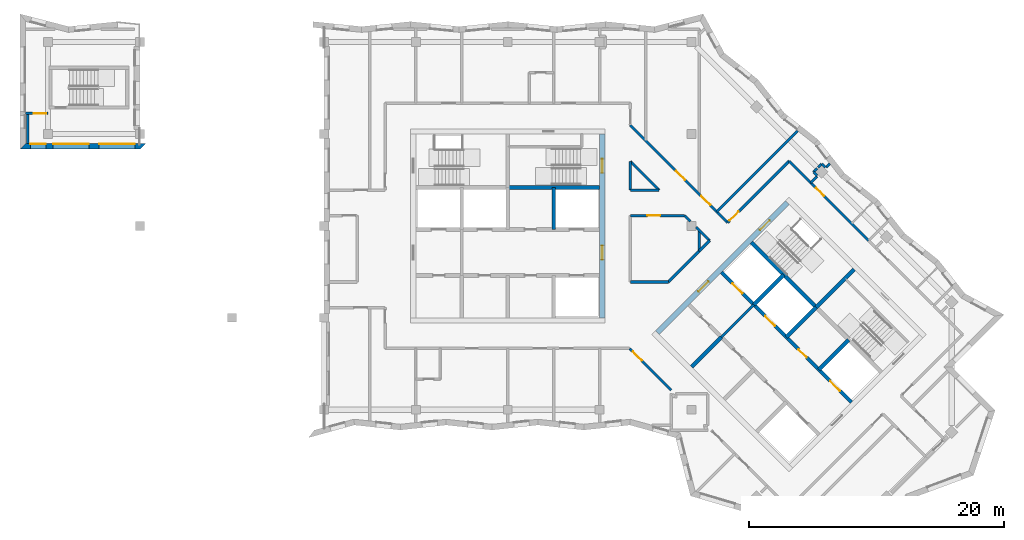
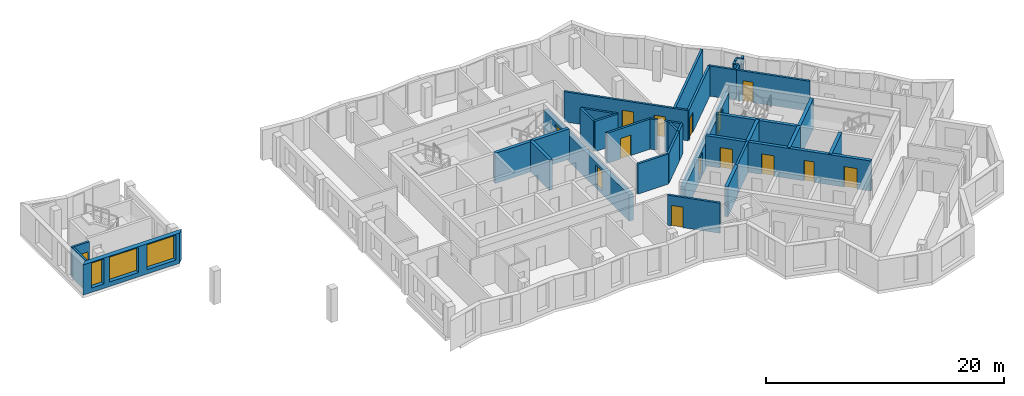
# One storey, part 4 of 12: 37 walls, 15 doors, 3 windows, 18 openings.
"""IFC4 building model written with IfcOpenShell, lengths in metres."""

from ifc_helpers import new_model, si_unit, direction, frame, frame_2d, origin, place, context, subcontext, project, spatial, polyline, rectangle, outline, extrude, material, layer, layer_set, type_object, element, fill, save


model = new_model("IFC4")

# Units and contexts
model_context = context("Model", 3, precision=1e-05, world=origin(), true_north=direction((0.0, 1.0)))
body_context = subcontext(model_context, "Body", "Model", "MODEL_VIEW")
ifc_project = project(units=[si_unit("LENGTHUNIT", "METRE"), si_unit("AREAUNIT", "SQUARE_METRE"), si_unit("VOLUMEUNIT", "CUBIC_METRE"), si_unit("PLANEANGLEUNIT", "RADIAN"), si_unit("MASSUNIT", "GRAM", prefix="KILO")], contexts=[model_context])

# Site, building, storey
site_placement = place(None, origin())
site = spatial("IfcSite", under=ifc_project, at=site_placement, CompositionType="ELEMENT")
building_placement = place(site_placement, origin())
building = spatial("IfcBuilding", under=site, at=building_placement, Name="Windrow Commons", CompositionType="ELEMENT")
storey_placement = place(building_placement, frame((0.0, 0.0, 254.0)))
storey = spatial("IfcBuildingStorey", under=building, at=storey_placement, Name="L69", CompositionType="ELEMENT", Elevation=254.0)

# Wall, openings, windows
ifc_material_1 = material(Name="Brick masonry, red clay brick", Category="masonry")
ifc_layer_1 = layer(ifc_material_1, 0.45)
ifc_layer_set_1 = layer_set([ifc_layer_1], Name="Brick facade wall 450")
wall_type_1 = type_object("IfcWallType", Name="Brick facade wall 450", PredefinedType="SOLIDWALL", material=ifc_layer_set_1)
wall_1_placement = place(storey_placement, frame((26.834, 63.825, 0.0), z_axis=(0.0, 0.0, 1.0), x_axis=(1.0, 0.0, 0.0)))
wall_1 = element("IfcWall", 1, at=wall_1_placement, inside=storey, type_object=wall_type_1, Name="Brick facade wall L69 32", PredefinedType="SOLIDWALL", context=body_context, shape_type="SweptSolid", body=[
    extrude(outline(polyline([(-0.225, -0.225), (9.166, -0.225), (9.616, 0.225), (0.225, 0.225), (-0.225, -0.225)])), origin(), (0.0, 0.0, 1.0), 3.1),
])
opening_1_placement = place(wall_1_placement, frame((2.366, 0.0, 0.45)))
opening_1 = element("IfcOpeningElement", 2, at=opening_1_placement, cuts=wall_1, Name="Opening W1V", PredefinedType="OPENING", context=body_context, shape_type="SweptSolid", body=[
    extrude(rectangle(XDim=2.8, YDim=2.55, at=frame_2d((1.4, 1.275))), frame((0.0, 0.235, 0.0), z_axis=(0.0, -1.0, 0.0), x_axis=(1.0, 0.0, 0.0)), (0.0, 0.0, 1.0), 0.47),
])
opening_2_placement = place(wall_1_placement, frame((5.9785, 0.0, 0.45)))
opening_2 = element("IfcOpeningElement", 3, at=opening_2_placement, cuts=wall_1, Name="Opening W1V", PredefinedType="OPENING", context=body_context, shape_type="SweptSolid", body=[
    extrude(rectangle(XDim=2.8, YDim=2.55, at=frame_2d((1.4, 1.275))), frame((0.0, 0.235, 0.0), z_axis=(0.0, -1.0, 0.0), x_axis=(1.0, 0.0, 0.0)), (0.0, 0.0, 1.0), 0.47),
])
opening_3_placement = place(wall_1_placement, frame((0.5955, 0.0, 0.45)))
opening_3 = element("IfcOpeningElement", 4, at=opening_3_placement, cuts=wall_1, Name="Opening W7F", PredefinedType="OPENING", context=body_context, shape_type="SweptSolid", body=[
    extrude(rectangle(XDim=1.2, YDim=2.55, at=frame_2d((0.6, 1.275))), frame((0.0, 0.235, 0.0), z_axis=(0.0, -1.0, 0.0), x_axis=(1.0, 0.0, 0.0)), (0.0, 0.0, 1.0), 0.47),
])
ifc_material_2 = material(Name="Clear float glass in anodised aluminium frame", Category="aluminium")
window_type_1 = type_object("IfcWindowType", Name="Window W1V bedroom 2800x2550", PartitioningType="SINGLE_PANEL", PredefinedType="WINDOW", material=ifc_material_2)
window_1_placement = place(opening_1_placement, origin())
window_1 = element("IfcWindow", 5, at=window_1_placement, inside=storey, type_object=window_type_1, Name="Window L69 32.1", OverallHeight=2.55, OverallWidth=2.8, PartitioningType="SINGLE_PANEL", PredefinedType="WINDOW", context=body_context, shape_type="SweptSolid", body=[
    extrude(rectangle(XDim=2.8, YDim=2.55, at=frame_2d((1.4, 1.275))), frame((0.0, 0.205, 0.0), z_axis=(0.0, -1.0, 0.0), x_axis=(1.0, 0.0, 0.0)), (0.0, 0.0, 1.0), 0.06),
])
fill(opening_1, window_1)
window_2_placement = place(opening_2_placement, origin())
window_2 = element("IfcWindow", 6, at=window_2_placement, inside=storey, type_object=window_type_1, Name="Window L69 32.2", OverallHeight=2.55, OverallWidth=2.8, PartitioningType="SINGLE_PANEL", PredefinedType="WINDOW", context=body_context, shape_type="SweptSolid", body=[
    extrude(rectangle(XDim=2.8, YDim=2.55, at=frame_2d((1.4, 1.275))), frame((0.0, 0.205, 0.0), z_axis=(0.0, -1.0, 0.0), x_axis=(1.0, 0.0, 0.0)), (0.0, 0.0, 1.0), 0.06),
])
fill(opening_2, window_2)
ifc_material_3 = material(Name="Clear float glass in anodised aluminium frame", Category="aluminium")
window_type_2 = type_object("IfcWindowType", Name="Window W7 notch 1200x2550", PartitioningType="SINGLE_PANEL", PredefinedType="WINDOW", material=ifc_material_3)
window_3_placement = place(opening_3_placement, origin())
window_3 = element("IfcWindow", 7, at=window_3_placement, inside=storey, type_object=window_type_2, Name="Window L69 32.3", OverallHeight=2.55, OverallWidth=1.2, PartitioningType="SINGLE_PANEL", PredefinedType="WINDOW", context=body_context, shape_type="SweptSolid", body=[
    extrude(rectangle(XDim=1.2, YDim=2.55, at=frame_2d((0.6, 1.275))), frame((0.0, 0.205, 0.0), z_axis=(0.0, -1.0, 0.0), x_axis=(1.0, 0.0, 0.0)), (0.0, 0.0, 1.0), 0.06),
])
fill(opening_3, window_3)

# Wall
ifc_material_4 = material(Name="Blockwork partition", Category="masonry")
ifc_layer_2 = layer(ifc_material_4, 0.2)
ifc_layer_set_2 = layer_set([ifc_layer_2], Name="Fire lobby partition 200")
wall_type_2 = type_object("IfcWallType", Name="Fire lobby partition 200", PredefinedType="PARTITIONING", material=ifc_layer_set_2)
wall_2_placement = place(storey_placement, frame((81.5335, 48.8776, 0.0), z_axis=(0.0, 0.0, 1.0), x_axis=(0.707092892, 0.7071206701, 0.0)))
element("IfcWall", 8, at=wall_2_placement, inside=storey, type_object=wall_type_2, Name="W-core-lobby-B-L69", PredefinedType="PARTITIONING", context=body_context, shape_type="SweptSolid", body=[
    extrude(rectangle(XDim=3.6, YDim=0.2, at=frame_2d((1.8, 0.0))), origin(), (0.0, 0.0, 1.0), 3.1),
])

# Wall, openings, doors
ifc_material_5 = material(Name="Blockwork partition", Category="masonry")
ifc_layer_3 = layer(ifc_material_5, 0.2)
ifc_layer_set_3 = layer_set([ifc_layer_3], Name="IW-CORRIDOR-200")
wall_type_3 = type_object("IfcWallType", Name="IW-CORRIDOR-200", PredefinedType="PARTITIONING", material=ifc_layer_set_3)
wall_3_placement = place(storey_placement, frame((74.3969, 65.4829, 0.0), z_axis=(0.0, 0.0, 1.0), x_axis=(0.7071067812, -0.7071067812, 0.0)))
wall_3 = element("IfcWall", 9, at=wall_3_placement, inside=storey, type_object=wall_type_3, Name="W-L69-W005", PredefinedType="PARTITIONING", context=body_context, shape_type="SweptSolid", body=[
    extrude(rectangle(XDim=10.7876, YDim=0.2, at=frame_2d((5.3938, 0.0))), origin(), (0.0, 0.0, 1.0), 3.1),
])
opening_4_placement = place(wall_3_placement, frame((5.0831, 0.0, 0.0)))
opening_4 = element("IfcOpeningElement", 10, at=opening_4_placement, cuts=wall_3, Name="Opening D310F", PredefinedType="OPENING", context=body_context, shape_type="SweptSolid", body=[
    extrude(rectangle(XDim=1.0, YDim=2.1, at=frame_2d((0.5, 1.05))), frame((0.0, 0.11, 0.0), z_axis=(0.0, -1.0, 0.0), x_axis=(1.0, 0.0, 0.0)), (0.0, 0.0, 1.0), 0.22),
])
opening_5_placement = place(wall_3_placement, frame((7.858, 0.0, 0.0)))
opening_5 = element("IfcOpeningElement", 11, at=opening_5_placement, cuts=wall_3, Name="Opening D310F", PredefinedType="OPENING", context=body_context, shape_type="SweptSolid", body=[
    extrude(rectangle(XDim=1.0, YDim=2.1, at=frame_2d((0.5, 1.05))), frame((0.0, 0.11, 0.0), z_axis=(0.0, -1.0, 0.0), x_axis=(1.0, 0.0, 0.0)), (0.0, 0.0, 1.0), 0.22),
])
ifc_material_6 = material(Name="Timber door leaf", Category="wood")
door_type_1 = type_object("IfcDoorType", Name="DT-AMENITY-1000", OperationType="SINGLE_SWING_LEFT", PredefinedType="DOOR", material=ifc_material_6)
door_1_placement = place(opening_4_placement, origin())
door_1 = element("IfcDoor", 12, at=door_1_placement, inside=storey, type_object=door_type_1, Name="D-L69-D016", OperationType="SINGLE_SWING_LEFT", OverallHeight=2.1, OverallWidth=1.0, PredefinedType="DOOR", context=body_context, shape_type="SweptSolid", body=[
    extrude(rectangle(XDim=1.0, YDim=2.1, at=frame_2d((0.5, 1.05))), frame((0.0, 0.025, 0.0), z_axis=(0.0, -1.0, 0.0), x_axis=(1.0, 0.0, 0.0)), (0.0, 0.0, 1.0), 0.05),
])
fill(opening_4, door_1)
door_2_placement = place(opening_5_placement, origin())
door_2 = element("IfcDoor", 13, at=door_2_placement, inside=storey, type_object=door_type_1, Name="D-L69-D018", OperationType="SINGLE_SWING_LEFT", OverallHeight=2.1, OverallWidth=1.0, PredefinedType="DOOR", context=body_context, shape_type="SweptSolid", body=[
    extrude(rectangle(XDim=1.0, YDim=2.1, at=frame_2d((0.5, 1.05))), frame((0.0, 0.025, 0.0), z_axis=(0.0, -1.0, 0.0), x_axis=(1.0, 0.0, 0.0)), (0.0, 0.0, 1.0), 0.05),
])
fill(opening_5, door_2)

# Wall, opening, door
wall_4_placement = place(storey_placement, frame((82.0275, 57.8585, 0.0), z_axis=(0.0, 0.0, 1.0), x_axis=(0.7071067812, 0.7071067812, 0.0)))
wall_4 = element("IfcWall", 14, at=wall_4_placement, inside=storey, type_object=wall_type_3, Name="W-L69-W012", PredefinedType="PARTITIONING", context=body_context, shape_type="SweptSolid", body=[
    extrude(rectangle(XDim=6.7995, YDim=0.2, at=frame_2d((3.3998, 0.0))), origin(), (0.0, 0.0, 1.0), 3.1),
])
opening_6_placement = place(wall_4_placement, frame((0.2109, 0.0, 0.0)))
opening_6 = element("IfcOpeningElement", 15, at=opening_6_placement, cuts=wall_4, Name="Opening D310F", PredefinedType="OPENING", context=body_context, shape_type="SweptSolid", body=[
    extrude(rectangle(XDim=1.0, YDim=2.1, at=frame_2d((0.5, 1.05))), frame((0.0, 0.11, 0.0), z_axis=(0.0, -1.0, 0.0), x_axis=(1.0, 0.0, 0.0)), (0.0, 0.0, 1.0), 0.22),
])
door_3_placement = place(opening_6_placement, origin())
door_3 = element("IfcDoor", 16, at=door_3_placement, inside=storey, type_object=door_type_1, Name="D-L69-D020", OperationType="SINGLE_SWING_RIGHT", OverallHeight=2.1, OverallWidth=1.0, PredefinedType="DOOR", context=body_context, shape_type="SweptSolid", body=[
    extrude(rectangle(XDim=1.0, YDim=2.1, at=frame_2d((0.5, 1.05))), frame((0.0, 0.025, 0.0), z_axis=(0.0, -1.0, 0.0), x_axis=(1.0, 0.0, 0.0)), (0.0, 0.0, 1.0), 0.05),
])
fill(opening_6, door_3)

wall_5_placement = place(storey_placement, frame((88.5373, 60.9733, 0.0), z_axis=(0.0, 0.0, 1.0), x_axis=(0.7071067812, -0.7071067812, 0.0)))
wall_5 = element("IfcWall", 17, at=wall_5_placement, inside=storey, type_object=wall_type_3, Name="W-L69-W014", PredefinedType="PARTITIONING", context=body_context, shape_type="SweptSolid", body=[
    extrude(rectangle(XDim=6.4007, YDim=0.2, at=frame_2d((3.2003, 0.0))), origin(), (0.0, 0.0, 1.0), 3.1),
])
opening_7_placement = place(wall_5_placement, frame((0.5685, 0.0, 0.0)))
opening_7 = element("IfcOpeningElement", 18, at=opening_7_placement, cuts=wall_5, Name="Opening D109S", PredefinedType="OPENING", context=body_context, shape_type="SweptSolid", body=[
    extrude(rectangle(XDim=0.9, YDim=2.1, at=frame_2d((0.45, 1.05))), frame((0.0, 0.11, 0.0), z_axis=(0.0, -1.0, 0.0), x_axis=(1.0, 0.0, 0.0)), (0.0, 0.0, 1.0), 0.22),
])
ifc_material_7 = material(Name="Timber door leaf", Category="wood")
door_type_2 = type_object("IfcDoorType", Name="DT-BEDROOM-900", OperationType="SINGLE_SWING_LEFT", PredefinedType="DOOR", material=ifc_material_7)
door_4_placement = place(opening_7_placement, origin())
door_4 = element("IfcDoor", 19, at=door_4_placement, inside=storey, type_object=door_type_2, Name="D-L69-D021", OperationType="SINGLE_SWING_LEFT", OverallHeight=2.1, OverallWidth=0.9, PredefinedType="DOOR", context=body_context, shape_type="SweptSolid", body=[
    extrude(rectangle(XDim=0.9, YDim=2.1, at=frame_2d((0.45, 1.05))), frame((0.0, 0.025, 0.0), z_axis=(0.0, -1.0, 0.0), x_axis=(1.0, 0.0, 0.0)), (0.0, 0.0, 1.0), 0.05),
])
fill(opening_7, door_4)

wall_6_placement = place(storey_placement, frame((74.3468, 47.9968, 0.0), z_axis=(0.0, 0.0, 1.0), x_axis=(0.7071067812, -0.7071067812, 0.0)))
wall_6 = element("IfcWall", 20, at=wall_6_placement, inside=storey, type_object=wall_type_3, Name="W-L69-W022", PredefinedType="PARTITIONING", context=body_context, shape_type="SweptSolid", body=[
    extrude(rectangle(XDim=4.5962, YDim=0.2, at=frame_2d((2.2981, 0.0))), origin(), (0.0, 0.0, 1.0), 3.1),
])
opening_8_placement = place(wall_6_placement, frame((0.3498, 0.0, 0.0)))
opening_8 = element("IfcOpeningElement", 21, at=opening_8_placement, cuts=wall_6, Name="Opening D310F", PredefinedType="OPENING", context=body_context, shape_type="SweptSolid", body=[
    extrude(rectangle(XDim=1.0, YDim=2.1, at=frame_2d((0.5, 1.05))), frame((0.0, 0.11, 0.0), z_axis=(0.0, -1.0, 0.0), x_axis=(1.0, 0.0, 0.0)), (0.0, 0.0, 1.0), 0.22),
])
door_5_placement = place(opening_8_placement, origin())
door_5 = element("IfcDoor", 22, at=door_5_placement, inside=storey, type_object=door_type_1, Name="D-L69-D006", OperationType="SINGLE_SWING_LEFT", OverallHeight=2.1, OverallWidth=1.0, PredefinedType="DOOR", context=body_context, shape_type="SweptSolid", body=[
    extrude(rectangle(XDim=1.0, YDim=2.1, at=frame_2d((0.5, 1.05))), frame((0.0, 0.025, 0.0), z_axis=(0.0, -1.0, 0.0), x_axis=(1.0, 0.0, 0.0)), (0.0, 0.0, 1.0), 0.05),
])
fill(opening_8, door_5)

wall_7_placement = place(storey_placement, frame((74.402, 58.4, 0.0), z_axis=(0.0, 0.0, 1.0), x_axis=(1.0, 0.0, 0.0)))
wall_7 = element("IfcWall", 23, at=wall_7_placement, inside=storey, type_object=wall_type_3, Name="W-L69-W030", PredefinedType="PARTITIONING", context=body_context, shape_type="SweptSolid", body=[
    extrude(rectangle(XDim=4.256, YDim=0.2, at=frame_2d((2.128, 0.0))), origin(), (0.0, 0.0, 1.0), 3.1),
])
opening_9_placement = place(wall_7_placement, frame((1.3312, 0.0, 0.0)))
opening_9 = element("IfcOpeningElement", 24, at=opening_9_placement, cuts=wall_7, Name="Opening D310F", PredefinedType="OPENING", context=body_context, shape_type="SweptSolid", body=[
    extrude(rectangle(XDim=1.0, YDim=2.1, at=frame_2d((0.5, 1.05))), frame((0.0, 0.11, 0.0), z_axis=(0.0, -1.0, 0.0), x_axis=(1.0, 0.0, 0.0)), (0.0, 0.0, 1.0), 0.22),
])
door_6_placement = place(opening_9_placement, origin())
door_6 = element("IfcDoor", 25, at=door_6_placement, inside=storey, type_object=door_type_1, Name="D-L69-D008", OperationType="SINGLE_SWING_RIGHT", OverallHeight=2.1, OverallWidth=1.0, PredefinedType="DOOR", context=body_context, shape_type="SweptSolid", body=[
    extrude(rectangle(XDim=1.0, YDim=2.1, at=frame_2d((0.5, 1.05))), frame((0.0, 0.025, 0.0), z_axis=(0.0, -1.0, 0.0), x_axis=(1.0, 0.0, 0.0)), (0.0, 0.0, 1.0), 0.05),
])
fill(opening_9, door_6)

# Walls
wall_8_placement = place(storey_placement, frame((77.3695, 53.2005, 0.0), z_axis=(0.0, 0.0, 1.0), x_axis=(0.7071067812, 0.7071067812, 0.0)))
element("IfcWall", 26, at=wall_8_placement, inside=storey, type_object=wall_type_3, Name="W-L69-W034", PredefinedType="PARTITIONING", context=body_context, shape_type="SweptSolid", body=[
    extrude(rectangle(XDim=3.4365, YDim=0.2, at=frame_2d((1.7183, 0.0))), origin(), (0.0, 0.0, 1.0), 3.1),
])
wall_9_placement = place(storey_placement, frame((74.3987, 62.6527, 0.0), z_axis=(0.0, 0.0, 1.0), x_axis=(0.7071067812, -0.7071067812, 0.0)))
element("IfcWall", 27, at=wall_9_placement, inside=storey, type_object=wall_type_3, Name="W-L69-W036", PredefinedType="PARTITIONING", context=body_context, shape_type="SweptSolid", body=[
    extrude(rectangle(XDim=3.1876, YDim=0.2, at=frame_2d((1.5938, 0.0))), origin(), (0.0, 0.0, 1.0), 3.1),
])
wall_10_placement = place(storey_placement, frame((74.402, 53.2, 0.0), z_axis=(0.0, 0.0, 1.0), x_axis=(1.0, 0.0, 0.0)))
element("IfcWall", 28, at=wall_10_placement, inside=storey, type_object=wall_type_3, Name="W-L69-W038", PredefinedType="PARTITIONING", context=body_context, shape_type="SweptSolid", body=[
    extrude(rectangle(XDim=2.968, YDim=0.2, at=frame_2d((1.484, 0.0))), origin(), (0.0, 0.0, 1.0), 3.1),
])
wall_11_placement = place(storey_placement, frame((86.8333, 62.6633, 0.0), z_axis=(0.0, 0.0, 1.0), x_axis=(0.7075233388, -0.706689978, 0.0)))
element("IfcWall", 29, at=wall_11_placement, inside=storey, type_object=wall_type_3, Name="W-L69-W053", PredefinedType="PARTITIONING", context=body_context, shape_type="SweptSolid", body=[
    extrude(rectangle(XDim=2.3999, YDim=0.2, at=frame_2d((1.2, 0.0))), origin(), (0.0, 0.0, 1.0), 3.1),
])
wall_12_placement = place(storey_placement, frame((27.2, 64.05, 0.0), z_axis=(0.0, 0.0, 1.0), x_axis=(0.0, 1.0, 0.0)))
element("IfcWall", 30, at=wall_12_placement, inside=storey, type_object=wall_type_3, Name="W-L69-W054", PredefinedType="PARTITIONING", context=body_context, shape_type="SweptSolid", body=[
    extrude(rectangle(XDim=2.348, YDim=0.2, at=frame_2d((1.174, 0.0))), origin(), (0.0, 0.0, 1.0), 3.1),
])
for number, where, z_axis, x_axis, name in (
    (31, (74.402, 60.4, 0.0), (0.0, 0.0, 1.0), (1.0, 0.0, 0.0), "W-L69-W056"),
    (32, (74.4, 60.402, 0.0), (0.0, 0.0, 1.0), (0.0, 1.0, 0.0), "W-L69-W057"),
):
    element("IfcWall", number, at=place(storey_placement, frame(where, z_axis=z_axis, x_axis=x_axis)), inside=storey, type_object=wall_type_3, Name=name, PredefinedType="PARTITIONING", context=body_context, shape_type="SweptSolid", body=[
        extrude(rectangle(XDim=2.254, YDim=0.2, at=frame_2d((1.127, 0.0))), origin(), (0.0, 0.0, 1.0), 3.1),
    ])

# Wall, opening, door
wall_13_placement = place(storey_placement, frame((27.059, 66.4, 0.0), z_axis=(0.0, 0.0, 1.0), x_axis=(1.0, 0.0, 0.0)))
wall_13 = element("IfcWall", 33, at=wall_13_placement, inside=storey, type_object=wall_type_3, Name="W-L69-W071", PredefinedType="PARTITIONING", context=body_context, shape_type="SweptSolid", body=[
    extrude(rectangle(XDim=1.741, YDim=0.2, at=frame_2d((0.8705, 0.0))), origin(), (0.0, 0.0, 1.0), 3.1),
])
opening_10_placement = place(wall_13_placement, frame((0.618, 0.0, 0.0)))
opening_10 = element("IfcOpeningElement", 34, at=opening_10_placement, cuts=wall_13, Name="Opening D310F", PredefinedType="OPENING", context=body_context, shape_type="SweptSolid", body=[
    extrude(rectangle(XDim=1.0, YDim=2.1, at=frame_2d((0.5, 1.05))), frame((0.0, 0.11, 0.0), z_axis=(0.0, -1.0, 0.0), x_axis=(1.0, 0.0, 0.0)), (0.0, 0.0, 1.0), 0.22),
])
door_7_placement = place(opening_10_placement, origin())
door_7 = element("IfcDoor", 35, at=door_7_placement, inside=storey, type_object=door_type_1, Name="D-L69-D017", OperationType="SINGLE_SWING_RIGHT", OverallHeight=2.1, OverallWidth=1.0, PredefinedType="DOOR", context=body_context, shape_type="SweptSolid", body=[
    extrude(rectangle(XDim=1.0, YDim=2.1, at=frame_2d((0.5, 1.05))), frame((0.0, 0.025, 0.0), z_axis=(0.0, -1.0, 0.0), x_axis=(1.0, 0.0, 0.0)), (0.0, 0.0, 1.0), 0.05),
])
fill(opening_10, door_7)

# Walls
wall_14_placement = place(storey_placement, frame((79.5467, 57.5047, 0.0), z_axis=(0.0, 0.0, 1.0), x_axis=(0.7071067812, -0.7071067812, 0.0)))
element("IfcWall", 36, at=wall_14_placement, inside=storey, type_object=wall_type_3, Name="W-L69-W073", PredefinedType="PARTITIONING", context=body_context, shape_type="SweptSolid", body=[
    extrude(rectangle(XDim=1.5047, YDim=0.2, at=frame_2d((0.7523, 0.0))), origin(), (0.0, 0.0, 1.0), 3.1),
])
wall_15_placement = place(storey_placement, frame((79.7979, 55.6321, 0.0), z_axis=(0.0, 0.0, 1.0), x_axis=(0.7079759957, 0.7062364969, 0.0)))
element("IfcWall", 37, at=wall_15_placement, inside=storey, type_object=wall_type_3, Name="W-L69-W076", PredefinedType="PARTITIONING", context=body_context, shape_type="SweptSolid", body=[
    extrude(rectangle(XDim=1.1498, YDim=0.2, at=frame_2d((0.5749, 0.0))), origin(), (0.0, 0.0, 1.0), 3.1),
])
wall_16_placement = place(storey_placement, frame((78.6547, 58.3967, 0.0), z_axis=(0.0, 0.0, 1.0), x_axis=(0.7071067812, -0.7071067812, 0.0)))
element("IfcWall", 38, at=wall_16_placement, inside=storey, type_object=wall_type_3, Name="W-L69-W085", PredefinedType="PARTITIONING", context=body_context, shape_type="SweptSolid", body=[
    extrude(rectangle(XDim=0.6364, YDim=0.2, at=frame_2d((0.3182, 0.0))), origin(), (0.0, 0.0, 1.0), 3.1),
])
ifc_material_8 = material(Name="Blockwork partition", Category="masonry")
ifc_layer_4 = layer(ifc_material_8, 0.2)
ifc_layer_set_4 = layer_set([ifc_layer_4], Name="IW-PARTY-200")
wall_type_4 = type_object("IfcWallType", Name="IW-PARTY-200", PredefinedType="PARTITIONING", material=ifc_layer_set_4)
wall_17_placement = place(storey_placement, frame((81.1789, 58.7071, 0.0), z_axis=(0.0, 0.0, 1.0), x_axis=(0.7071123688, 0.7071011936, 0.0)))
element("IfcWall", 39, at=wall_17_placement, inside=storey, type_object=wall_type_4, Name="W-L69-W007", PredefinedType="PARTITIONING", context=body_context, shape_type="SweptSolid", body=[
    extrude(rectangle(XDim=8.9484, YDim=0.2, at=frame_2d((4.4742, 0.0))), origin(), (0.0, 0.0, 1.0), 3.1),
])
wall_18_placement = place(storey_placement, frame((79.8, 55.63, 0.0), z_axis=(0.0, 0.0, 1.0), x_axis=(0.0, 1.0, 0.0)))
element("IfcWall", 40, at=wall_18_placement, inside=storey, type_object=wall_type_4, Name="W-L69-W072", PredefinedType="PARTITIONING", context=body_context, shape_type="SweptSolid", body=[
    extrude(rectangle(XDim=1.628, YDim=0.2, at=frame_2d((0.814, 0.0))), origin(), (0.0, 0.0, 1.0), 3.1),
])
wall_19_placement = place(storey_placement, frame((88.5335, 60.9705, 0.0), z_axis=(0.0, 0.0, 1.0), x_axis=(0.7071067812, 0.7071067812, 0.0)))
element("IfcWall", 41, at=wall_19_placement, inside=storey, type_object=wall_type_4, Name="W-L69-W083", PredefinedType="PARTITIONING", context=body_context, shape_type="SweptSolid", body=[
    extrude(rectangle(XDim=0.7043, YDim=0.2, at=frame_2d((0.3522, 0.0))), origin(), (0.0, 0.0, 1.0), 3.1),
])
for number, where, z_axis, x_axis, name in (
    (42, (88.7426, 61.8146, 0.0), (0.0, 0.0, 1.0), (0.7071067812, -0.7071067812, 0.0), "W-L69-W096"),
    (43, (89.3861, 62.4581, 0.0), (0.0, 0.0, 1.0), (0.7071067812, -0.7071067812, 0.0), "W-L69-W097"),
    (44, (88.7413, 61.8147, 0.0), (0.0, 0.0, 1.0), (0.7071067812, 0.7071067812, 0.0), "W-L69-W098"),
    (45, (89.0953, 62.1687, 0.0), (0.0, 0.0, 1.0), (0.7071067812, 0.7071067812, 0.0), "W-L69-W099"),
    (46, (89.7315, 62.1685, 0.0), (0.0, 0.0, 1.0), (0.7071067812, 0.7071067812, 0.0), "W-L69-W100"),
):
    element("IfcWall", number, at=place(storey_placement, frame(where, z_axis=z_axis, x_axis=x_axis)), inside=storey, type_object=wall_type_4, Name=name, PredefinedType="PARTITIONING", context=body_context, shape_type="SweptSolid", body=[
        extrude(rectangle(XDim=0.4101, YDim=0.2, at=frame_2d((0.2051, 0.0))), origin(), (0.0, 0.0, 1.0), 3.1),
    ])

# Wall, openings, doors
ifc_material_9 = material(Name="Concrete C40/50", Category="concrete")
ifc_layer_5 = layer(ifc_material_9, 0.4)
ifc_layer_set_5 = layer_set([ifc_layer_5], Name="RC CORE WALL 400 C40/50")
wall_type_5 = type_object("IfcWallType", Name="RC CORE WALL 400 C40/50", PredefinedType="SHEAR", material=ifc_layer_set_5)
wall_20_placement = place(storey_placement, frame((72.2, 50.4, -0.3), z_axis=(0.0, 0.0, 1.0), x_axis=(0.0, 1.0, 0.0)))
wall_20 = element("IfcWall", 47, at=wall_20_placement, inside=storey, type_object=wall_type_5, Name="Core A wall outer-E", PredefinedType="SHEAR", context=body_context, shape_type="SweptSolid", body=[
    extrude(rectangle(XDim=14.4, YDim=0.4, at=frame_2d((7.2, 0.0))), origin(), (0.0, 0.0, 1.0), 2.7),
])
opening_11_placement = place(wall_20_placement, frame((4.55, 0.0, 0.3)))
opening_11 = element("IfcOpeningElement", 48, at=opening_11_placement, cuts=wall_20, Name="Opening D6", PredefinedType="OPENING", context=body_context, shape_type="SweptSolid", body=[
    extrude(rectangle(XDim=1.1, YDim=2.1, at=frame_2d((0.55, 1.05))), frame((0.0, 0.21, 0.0), z_axis=(0.0, -1.0, 0.0), x_axis=(1.0, 0.0, 0.0)), (0.0, 0.0, 1.0), 0.42),
])
opening_12_placement = place(wall_20_placement, frame((11.35, 0.0, 0.3)))
opening_12 = element("IfcOpeningElement", 49, at=opening_12_placement, cuts=wall_20, Name="Opening D7", PredefinedType="OPENING", context=body_context, shape_type="SweptSolid", body=[
    extrude(rectangle(XDim=1.1, YDim=2.1, at=frame_2d((0.55, 1.05))), frame((0.0, 0.21, 0.0), z_axis=(0.0, -1.0, 0.0), x_axis=(1.0, 0.0, 0.0)), (0.0, 0.0, 1.0), 0.42),
])
ifc_material_10 = material(Name="Steel fire door leaf", Category="steel")
door_type_3 = type_object("IfcDoorType", Name="Core lobby door 1100", OperationType="SINGLE_SWING_LEFT", PredefinedType="DOOR", material=ifc_material_10)
door_8_placement = place(opening_11_placement, origin())
door_8 = element("IfcDoor", 50, at=door_8_placement, inside=storey, type_object=door_type_3, Name="Lift lobby door", OperationType="DOUBLE_DOOR_SINGLE_SWING", OverallHeight=2.1, OverallWidth=1.1, PredefinedType="DOOR", context=body_context, shape_type="SweptSolid", body=[
    extrude(rectangle(XDim=1.1, YDim=2.1, at=frame_2d((0.55, 1.05))), frame((0.0, 0.025, 0.0), z_axis=(0.0, -1.0, 0.0), x_axis=(1.0, 0.0, 0.0)), (0.0, 0.0, 1.0), 0.05),
])
fill(opening_11, door_8)
ifc_material_11 = material(Name="Steel fire door leaf", Category="steel")
door_type_4 = type_object("IfcDoorType", Name="Stair door 1100", OperationType="SINGLE_SWING_LEFT", PredefinedType="DOOR", material=ifc_material_11)
door_9_placement = place(opening_12_placement, origin())
door_9 = element("IfcDoor", 51, at=door_9_placement, inside=storey, type_object=door_type_4, Name="Stair door", OperationType="SINGLE_SWING_RIGHT", OverallHeight=2.1, OverallWidth=1.1, PredefinedType="DOOR", context=body_context, shape_type="SweptSolid", body=[
    extrude(rectangle(XDim=1.1, YDim=2.1, at=frame_2d((0.55, 1.05))), frame((0.0, 0.025, 0.0), z_axis=(0.0, -1.0, 0.0), x_axis=(1.0, 0.0, 0.0)), (0.0, 0.0, 1.0), 0.05),
])
fill(opening_12, door_9)

wall_21_placement = place(storey_placement, frame((76.513, 49.2312, -0.3), z_axis=(0.0, 0.0, 1.0), x_axis=(0.7071067812, 0.7071067812, 0.0)))
wall_21 = element("IfcWall", 52, at=wall_21_placement, inside=storey, type_object=wall_type_5, Name="Core B wall outer-W", PredefinedType="SHEAR", context=body_context, shape_type="SweptSolid", body=[
    extrude(rectangle(XDim=14.3999, YDim=0.4, at=frame_2d((7.2, 0.0))), origin(), (0.0, 0.0, 1.0), 2.7),
])
opening_13_placement = place(wall_21_placement, frame((4.55, 0.0, 0.3)))
opening_13 = element("IfcOpeningElement", 53, at=opening_13_placement, cuts=wall_21, Name="Opening D6", PredefinedType="OPENING", context=body_context, shape_type="SweptSolid", body=[
    extrude(rectangle(XDim=1.1, YDim=2.1, at=frame_2d((0.55, 1.05))), frame((0.0, 0.21, 0.0), z_axis=(0.0, -1.0, 0.0), x_axis=(1.0, 0.0, 0.0)), (0.0, 0.0, 1.0), 0.42),
])
opening_14_placement = place(wall_21_placement, frame((11.35, 0.0, 0.3)))
opening_14 = element("IfcOpeningElement", 54, at=opening_14_placement, cuts=wall_21, Name="Opening D7", PredefinedType="OPENING", context=body_context, shape_type="SweptSolid", body=[
    extrude(rectangle(XDim=1.1, YDim=2.1, at=frame_2d((0.55, 1.05))), frame((0.0, 0.21, 0.0), z_axis=(0.0, -1.0, 0.0), x_axis=(1.0, 0.0, 0.0)), (0.0, 0.0, 1.0), 0.42),
])
door_10_placement = place(opening_13_placement, origin())
door_10 = element("IfcDoor", 55, at=door_10_placement, inside=storey, type_object=door_type_3, Name="Lift lobby door", OperationType="DOUBLE_DOOR_SINGLE_SWING", OverallHeight=2.1, OverallWidth=1.1, PredefinedType="DOOR", context=body_context, shape_type="SweptSolid", body=[
    extrude(rectangle(XDim=1.1, YDim=2.1, at=frame_2d((0.55, 1.05))), frame((0.0, 0.025, 0.0), z_axis=(0.0, -1.0, 0.0), x_axis=(1.0, 0.0, 0.0)), (0.0, 0.0, 1.0), 0.05),
])
fill(opening_13, door_10)
door_11_placement = place(opening_14_placement, origin())
door_11 = element("IfcDoor", 56, at=door_11_placement, inside=storey, type_object=door_type_4, Name="Stair door", OperationType="SINGLE_SWING_LEFT", OverallHeight=2.1, OverallWidth=1.1, PredefinedType="DOOR", context=body_context, shape_type="SweptSolid", body=[
    extrude(rectangle(XDim=1.1, YDim=2.1, at=frame_2d((0.55, 1.05))), frame((0.0, 0.025, 0.0), z_axis=(0.0, -1.0, 0.0), x_axis=(1.0, 0.0, 0.0)), (0.0, 0.0, 1.0), 0.05),
])
fill(opening_14, door_11)

# Walls
ifc_material_12 = material(Name="Concrete C40/50", Category="concrete")
ifc_layer_6 = layer(ifc_material_12, 0.3)
ifc_layer_set_6 = layer_set([ifc_layer_6], Name="RC SHAFT WALL 300 C40/50")
wall_type_6 = type_object("IfcWallType", Name="RC SHAFT WALL 300 C40/50", PredefinedType="SOLIDWALL", material=ifc_layer_set_6)
wall_22_placement = place(storey_placement, frame((68.4, 57.3, 0.0), z_axis=(0.0, 0.0, 1.0), x_axis=(0.0, 1.0, 0.0)))
element("IfcWall", 57, at=wall_22_placement, inside=storey, type_object=wall_type_6, Name="Core A wall shaft-N3", PredefinedType="SOLIDWALL", context=body_context, shape_type="SweptSolid", body=[
    extrude(rectangle(XDim=3.3, YDim=0.3, at=frame_2d((1.65, 0.0))), origin(), (0.0, 0.0, 1.0), 3.1),
])
wall_23_placement = place(storey_placement, frame((64.8, 60.6, 0.0), z_axis=(0.0, 0.0, 1.0), x_axis=(1.0, 0.0, 0.0)))
element("IfcWall", 58, at=wall_23_placement, inside=storey, type_object=wall_type_6, Name="Core A wall stair-S2", PredefinedType="SOLIDWALL", context=body_context, shape_type="SweptSolid", body=[
    extrude(rectangle(XDim=7.2, YDim=0.3, at=frame_2d((3.6, 0.0))), origin(), (0.0, 0.0, 1.0), 3.1),
])
for number, where, z_axis, x_axis, name in (
    (59, (79.2, 46.5442, 0.0), (0.0, 0.0, 1.0), (0.7071219326, 0.7070916295, 0.0), "Core B wall shaft-S1"),
    (60, (84.079, 51.4232, 0.0), (0.0, 0.0, 1.0), (0.7071219326, 0.7070916295, 0.0), "Core B wall shaft-N1"),
):
    element("IfcWall", number, at=place(storey_placement, frame(where, z_axis=z_axis, x_axis=x_axis)), inside=storey, type_object=wall_type_6, Name=name, PredefinedType="SOLIDWALL", context=body_context, shape_type="SweptSolid", body=[
        extrude(rectangle(XDim=3.3, YDim=0.3, at=frame_2d((1.65, 0.0))), origin(), (0.0, 0.0, 1.0), 3.1),
    ])
for number, where, z_axis, x_axis, name in (
    (61, (86.6246, 48.8776, 0.0), (0.0, 0.0, 1.0), (0.7071067812, 0.7071067812, 0.0), "Core B wall shaft-N2"),
    (62, (89.1702, 46.332, 0.0), (0.0, 0.0, 1.0), (0.7071067812, 0.7071067812, 0.0), "Core B wall shaft-N3"),
):
    element("IfcWall", number, at=place(storey_placement, frame(where, z_axis=z_axis, x_axis=x_axis)), inside=storey, type_object=wall_type_6, Name=name, PredefinedType="SOLIDWALL", context=body_context, shape_type="SweptSolid", body=[
        extrude(rectangle(XDim=3.3001, YDim=0.3, at=frame_2d((1.6501, 0.0))), origin(), (0.0, 0.0, 1.0), 3.1),
    ])

# Wall, openings, doors
wall_24_placement = place(storey_placement, frame((81.5335, 53.9688, 0.0), z_axis=(0.0, 0.0, 1.0), x_axis=(0.707103309, -0.7071102534, 0.0)))
wall_24 = element("IfcWall", 63, at=wall_24_placement, inside=storey, type_object=wall_type_6, Name="Core B wall lobby-N", PredefinedType="SOLIDWALL", context=body_context, shape_type="SweptSolid", body=[
    extrude(rectangle(XDim=14.4, YDim=0.3, at=frame_2d((7.2, 0.0))), origin(), (0.0, 0.0, 1.0), 3.1),
])
opening_15_placement = place(wall_24_placement, frame((8.55, 0.0, 0.0)))
opening_15 = element("IfcOpeningElement", 64, at=opening_15_placement, cuts=wall_24, Name="Opening D8", PredefinedType="OPENING", context=body_context, shape_type="SweptSolid", body=[
    extrude(rectangle(XDim=0.9, YDim=2.1, at=frame_2d((0.45, 1.05))), frame((0.0, 0.16, 0.0), z_axis=(0.0, -1.0, 0.0), x_axis=(1.0, 0.0, 0.0)), (0.0, 0.0, 1.0), 0.32),
])
opening_16_placement = place(wall_24_placement, frame((1.25, 0.0, 0.0)))
opening_16 = element("IfcOpeningElement", 65, at=opening_16_placement, cuts=wall_24, Name="Opening LD", PredefinedType="OPENING", context=body_context, shape_type="SweptSolid", body=[
    extrude(rectangle(XDim=1.1, YDim=2.1, at=frame_2d((0.55, 1.05))), frame((0.0, 0.16, 0.0), z_axis=(0.0, -1.0, 0.0), x_axis=(1.0, 0.0, 0.0)), (0.0, 0.0, 1.0), 0.32),
])
opening_17_placement = place(wall_24_placement, frame((4.85, 0.0, 0.0)))
opening_17 = element("IfcOpeningElement", 66, at=opening_17_placement, cuts=wall_24, Name="Opening LD", PredefinedType="OPENING", context=body_context, shape_type="SweptSolid", body=[
    extrude(rectangle(XDim=1.1, YDim=2.1, at=frame_2d((0.55, 1.05))), frame((0.0, 0.16, 0.0), z_axis=(0.0, -1.0, 0.0), x_axis=(1.0, 0.0, 0.0)), (0.0, 0.0, 1.0), 0.32),
])
opening_18_placement = place(wall_24_placement, frame((12.05, 0.0, 0.0)))
opening_18 = element("IfcOpeningElement", 67, at=opening_18_placement, cuts=wall_24, Name="Opening LD", PredefinedType="OPENING", context=body_context, shape_type="SweptSolid", body=[
    extrude(rectangle(XDim=1.1, YDim=2.1, at=frame_2d((0.55, 1.05))), frame((0.0, 0.16, 0.0), z_axis=(0.0, -1.0, 0.0), x_axis=(1.0, 0.0, 0.0)), (0.0, 0.0, 1.0), 0.32),
])
ifc_material_13 = material(Name="Steel fire door leaf", Category="steel")
door_type_5 = type_object("IfcDoorType", Name="Core store door 900", OperationType="SINGLE_SWING_LEFT", PredefinedType="DOOR", material=ifc_material_13)
door_12_placement = place(opening_15_placement, origin())
door_12 = element("IfcDoor", 68, at=door_12_placement, inside=storey, type_object=door_type_5, Name="Store door", OperationType="SINGLE_SWING_LEFT", OverallHeight=2.1, OverallWidth=0.9, PredefinedType="DOOR", context=body_context, shape_type="SweptSolid", body=[
    extrude(rectangle(XDim=0.9, YDim=2.1, at=frame_2d((0.45, 1.05))), frame((0.0, 0.025, 0.0), z_axis=(0.0, -1.0, 0.0), x_axis=(1.0, 0.0, 0.0)), (0.0, 0.0, 1.0), 0.05),
])
fill(opening_15, door_12)
ifc_material_14 = material(Name="Stainless steel door leaf", Category="steel")
door_type_6 = type_object("IfcDoorType", Name="Lift landing door 1100", OperationType="SLIDING_TO_LEFT", PredefinedType="DOOR", material=ifc_material_14)
door_13_placement = place(opening_16_placement, origin())
door_13 = element("IfcDoor", 69, at=door_13_placement, inside=storey, type_object=door_type_6, Name="Lift landing door", OperationType="SLIDING_TO_LEFT", OverallHeight=2.1, OverallWidth=1.1, PredefinedType="DOOR", context=body_context, shape_type="SweptSolid", body=[
    extrude(rectangle(XDim=1.1, YDim=2.1, at=frame_2d((0.55, 1.05))), frame((0.0, 0.025, 0.0), z_axis=(0.0, -1.0, 0.0), x_axis=(1.0, 0.0, 0.0)), (0.0, 0.0, 1.0), 0.05),
])
fill(opening_16, door_13)
door_14_placement = place(opening_17_placement, origin())
door_14 = element("IfcDoor", 70, at=door_14_placement, inside=storey, type_object=door_type_6, Name="Lift landing door", OperationType="SLIDING_TO_RIGHT", OverallHeight=2.1, OverallWidth=1.1, PredefinedType="DOOR", context=body_context, shape_type="SweptSolid", body=[
    extrude(rectangle(XDim=1.1, YDim=2.1, at=frame_2d((0.55, 1.05))), frame((0.0, 0.025, 0.0), z_axis=(0.0, -1.0, 0.0), x_axis=(1.0, 0.0, 0.0)), (0.0, 0.0, 1.0), 0.05),
])
fill(opening_17, door_14)
door_15_placement = place(opening_18_placement, origin())
door_15 = element("IfcDoor", 71, at=door_15_placement, inside=storey, type_object=door_type_6, Name="Lift landing door", OperationType="SLIDING_TO_RIGHT", OverallHeight=2.1, OverallWidth=1.1, PredefinedType="DOOR", context=body_context, shape_type="SweptSolid", body=[
    extrude(rectangle(XDim=1.1, YDim=2.1, at=frame_2d((0.55, 1.05))), frame((0.0, 0.025, 0.0), z_axis=(0.0, -1.0, 0.0), x_axis=(1.0, 0.0, 0.0)), (0.0, 0.0, 1.0), 0.05),
])
fill(opening_18, door_15)

# Walls
wall_25_placement = place(storey_placement, frame((83.8669, 56.3022, 0.0), z_axis=(0.0, 0.0, 1.0), x_axis=(0.7071137256, -0.7070998367, 0.0)))
element("IfcWall", 72, at=wall_25_placement, inside=storey, type_object=wall_type_6, Name="Core B wall stair-S", PredefinedType="SOLIDWALL", context=body_context, shape_type="SweptSolid", body=[
    extrude(rectangle(XDim=7.2, YDim=0.3, at=frame_2d((3.6, 0.0))), origin(), (0.0, 0.0, 1.0), 3.1),
])
wall_26_placement = place(storey_placement, frame((88.9581, 51.2111, 0.0), z_axis=(0.0, 0.0, 1.0), x_axis=(0.7071067812, 0.7071067812, 0.0)))
element("IfcWall", 73, at=wall_26_placement, inside=storey, type_object=wall_type_6, Name="Core B wall stair-mid", PredefinedType="SOLIDWALL", context=body_context, shape_type="SweptSolid", body=[
    extrude(rectangle(XDim=4.1999, YDim=0.3, at=frame_2d((2.1, 0.0))), origin(), (0.0, 0.0, 1.0), 3.1),
])

save(model, "model.ifc")
